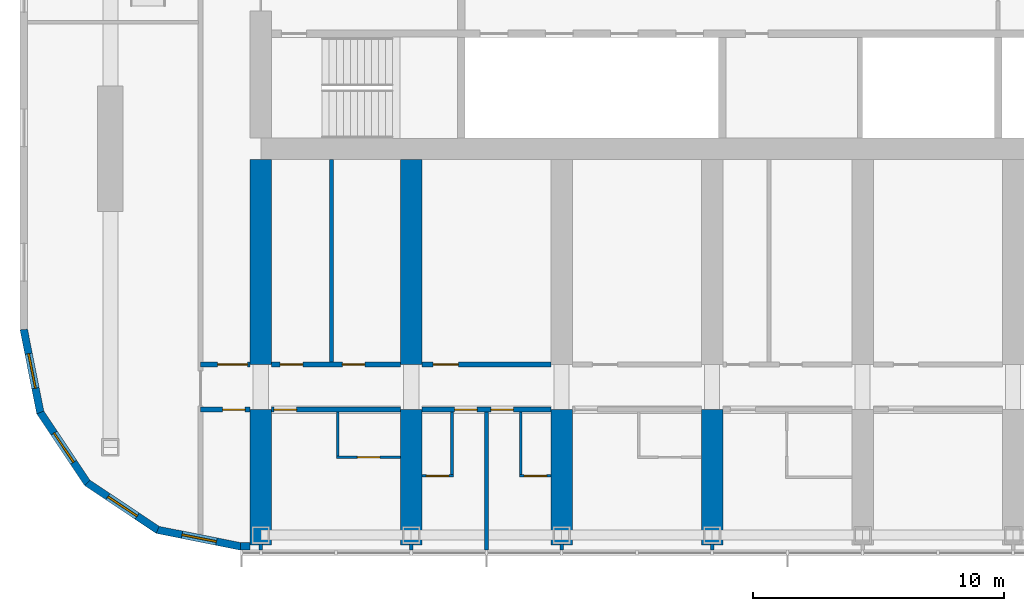
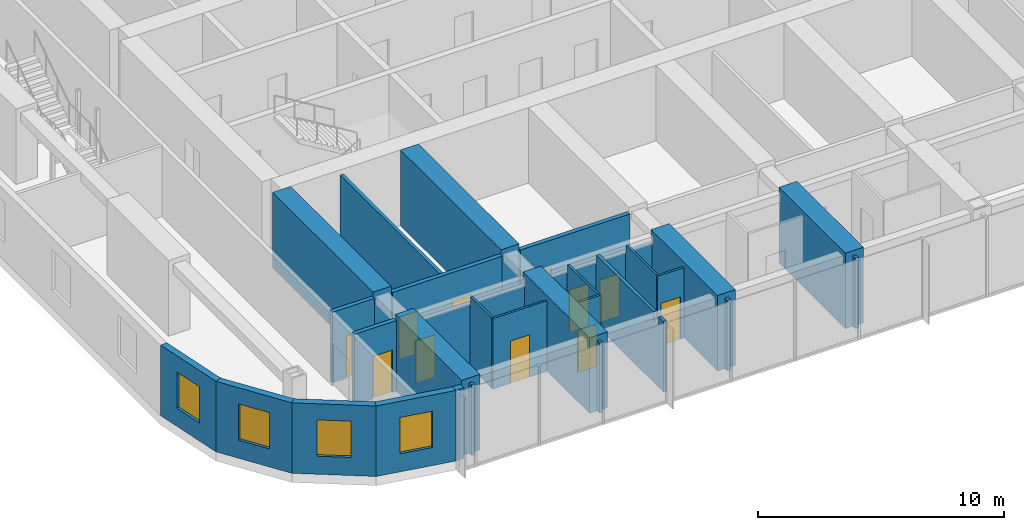
# One storey, part 13 of 28: 29 walls, 11 doors, 4 windows, 15 openings.
"""IFC4 building model written with IfcOpenShell, lengths in metres."""

from ifc_helpers import new_model, si_unit, direction, frame, frame_2d, origin, place, context, subcontext, project, spatial, polyline, rectangle, outline, extrude, material, layer, layer_set, type_object, element, fill, save


model = new_model("IFC4")

# Units and contexts
model_context = context("Model", 3, precision=1e-05, world=origin(), true_north=direction((0.0, 1.0)))
body_context = subcontext(model_context, "Body", "Model", "MODEL_VIEW")
ifc_project = project(units=[si_unit("LENGTHUNIT", "METRE"), si_unit("AREAUNIT", "SQUARE_METRE"), si_unit("VOLUMEUNIT", "CUBIC_METRE"), si_unit("PLANEANGLEUNIT", "RADIAN"), si_unit("MASSUNIT", "GRAM", prefix="KILO")], contexts=[model_context])

# Site, building, storey
site_placement = place(None, origin())
site = spatial("IfcSite", under=ifc_project, at=site_placement, CompositionType="ELEMENT")
building_placement = place(site_placement, origin())
building = spatial("IfcBuilding", under=site, at=building_placement, Name="Orbita Commons", CompositionType="ELEMENT")
storey_placement = place(building_placement, frame((0.0, 0.0, 193.60009765625)))
storey = spatial("IfcBuildingStorey", under=building, at=storey_placement, Name="L48", CompositionType="ELEMENT", Elevation=193.60009765625)

# Wall, opening, door
ifc_material_1 = material(Name="Concrete blockwork", Category="masonry")
ifc_layer_1 = layer(ifc_material_1, 0.199951171875)
ifc_layer_set_1 = layer_set([ifc_layer_1], Name="Concrete blockwork")
wall_type_1 = type_object("IfcWallType", Name="Corridor wall 200 blockwork", PredefinedType="SOLIDWALL", material=ifc_layer_set_1)
wall_1_placement = place(storey_placement, frame((15.60009765625, 15.39990234375, 0.0), z_axis=(0.0, 0.0, 1.0), x_axis=(1.0, 0.0, 0.0)))
wall_1 = element("IfcWall", 1, at=wall_1_placement, inside=storey, type_object=wall_type_1, Name="Corridor wall 200 blockwork L48", PredefinedType="SOLIDWALL", context=body_context, shape_type="SweptSolid", body=[
    extrude(rectangle(XDim=1.974853515625, YDim=0.199951171875, at=frame_2d((0.9873046875, 0.0))), origin(), (0.0, 0.0, 1.0), 3.5),
])
opening_1_placement = place(wall_1_placement, frame((0.875, 0.0, 0.0)))
opening_1 = element("IfcOpeningElement", 2, at=opening_1_placement, cuts=wall_1, Name="Opening D05", PredefinedType="OPENING", context=body_context, shape_type="SweptSolid", body=[
    extrude(rectangle(XDim=0.89990234375, YDim=2.10009765625, at=frame_2d((0.449951171875, 1.050048828125))), frame((0.0, 0.10986328125, 0.0), z_axis=(0.0, -1.0, 0.0), x_axis=(1.0, 0.0, 0.0)), (0.0, 0.0, 1.0), 0.219970703125),
])
ifc_material_2 = material(Name="Steel-faced fire door leaf", Category="steel")
door_type_1 = type_object("IfcDoorType", Name="Service door 20 min 900x2100", OperationType="SINGLE_SWING_LEFT", PredefinedType="DOOR", material=ifc_material_2)
door_1_placement = place(opening_1_placement, origin())
door_1 = element("IfcDoor", 3, at=door_1_placement, inside=storey, type_object=door_type_1, Name="Linen store L48-KWS door", OperationType="SINGLE_SWING_LEFT", OverallHeight=2.10009765625, OverallWidth=0.89990234375, PredefinedType="DOOR", context=body_context, shape_type="SweptSolid", body=[
    extrude(rectangle(XDim=0.89990234375, YDim=2.10009765625, at=frame_2d((0.449951171875, 1.050048828125))), frame((0.0, 0.02490234375, 0.0), z_axis=(0.0, -1.0, 0.0), x_axis=(1.0, 0.0, 0.0)), (0.0, 0.0, 1.0), 0.050048828125),
])
fill(opening_1, door_1)

wall_2_placement = place(storey_placement, frame((18.425048828125, 15.39990234375, 0.0), z_axis=(0.0, 0.0, 1.0), x_axis=(1.0, 0.0, 0.0)))
wall_2 = element("IfcWall", 4, at=wall_2_placement, inside=storey, type_object=wall_type_1, Name="Corridor wall 200 blockwork L48", PredefinedType="SOLIDWALL", context=body_context, shape_type="SweptSolid", body=[
    extrude(outline(polyline([(0.0, 0.0), (5.14990234375, 0.0), (5.14990234375, 3.099853515625), (0.0, 3.099853515625), (0.0, 0.0)])), frame((0.0, 0.10009765625, 0.0), z_axis=(0.0, -1.0, 0.0), x_axis=(1.0, 0.0, 0.0)), (0.0, 0.0, 1.0), 0.199951171875),
])
opening_2_placement = place(wall_2_placement, frame((0.10009765625, 0.0, 0.0)))
opening_2 = element("IfcOpeningElement", 5, at=opening_2_placement, cuts=wall_2, Name="Opening D11", PredefinedType="OPENING", context=body_context, shape_type="SweptSolid", body=[
    extrude(rectangle(XDim=0.89990234375, YDim=2.10009765625, at=frame_2d((0.449951171875, 1.050048828125))), frame((0.0, 0.10986328125, 0.0), z_axis=(0.0, -1.0, 0.0), x_axis=(1.0, 0.0, 0.0)), (0.0, 0.0, 1.0), 0.219970703125),
])
ifc_material_3 = material(Name="Steel-faced fire door leaf", Category="steel")
door_type_2 = type_object("IfcDoorType", Name="Corridor door 20 min 900x2100", OperationType="SINGLE_SWING_LEFT", PredefinedType="DOOR", material=ifc_material_3)
door_2_placement = place(opening_2_placement, origin())
door_2 = element("IfcDoor", 6, at=door_2_placement, inside=storey, type_object=door_type_2, Name="Twin room L48-S00 door", OperationType="SINGLE_SWING_LEFT", OverallHeight=2.10009765625, OverallWidth=0.89990234375, PredefinedType="DOOR", context=body_context, shape_type="SweptSolid", body=[
    extrude(rectangle(XDim=0.89990234375, YDim=2.10009765625, at=frame_2d((0.449951171875, 1.050048828125))), frame((0.0, 0.02490234375, 0.0), z_axis=(0.0, -1.0, 0.0), x_axis=(1.0, 0.0, 0.0)), (0.0, 0.0, 1.0), 0.050048828125),
])
fill(opening_2, door_2)

# Wall, openings, doors
wall_3_placement = place(storey_placement, frame((24.425048828125, 15.39990234375, 0.0), z_axis=(0.0, 0.0, 1.0), x_axis=(1.0, 0.0, 0.0)))
wall_3 = element("IfcWall", 7, at=wall_3_placement, inside=storey, type_object=wall_type_1, Name="Corridor wall 200 blockwork L48", PredefinedType="SOLIDWALL", context=body_context, shape_type="SweptSolid", body=[
    extrude(outline(polyline([(0.0, 0.0), (5.14990234375, 0.0), (5.14990234375, 3.099853515625), (0.0, 3.099853515625), (0.0, 0.0)])), frame((0.0, 0.10009765625, 0.0), z_axis=(0.0, -1.0, 0.0), x_axis=(1.0, 0.0, 0.0)), (0.0, 0.0, 1.0), 0.199951171875),
])
opening_3_placement = place(wall_3_placement, frame((1.300048828125, 0.0, 0.0)))
opening_3 = element("IfcOpeningElement", 8, at=opening_3_placement, cuts=wall_3, Name="Opening D11", PredefinedType="OPENING", context=body_context, shape_type="SweptSolid", body=[
    extrude(rectangle(XDim=0.89990234375, YDim=2.10009765625, at=frame_2d((0.449951171875, 1.050048828125))), frame((0.0, 0.10986328125, 0.0), z_axis=(0.0, -1.0, 0.0), x_axis=(1.0, 0.0, 0.0)), (0.0, 0.0, 1.0), 0.219970703125),
])
opening_4_placement = place(wall_3_placement, frame((2.75, 0.0, 0.0)))
opening_4 = element("IfcOpeningElement", 9, at=opening_4_placement, cuts=wall_3, Name="Opening D11", PredefinedType="OPENING", context=body_context, shape_type="SweptSolid", body=[
    extrude(rectangle(XDim=0.89990234375, YDim=2.10009765625, at=frame_2d((0.449951171875, 1.050048828125))), frame((0.0, 0.10986328125, 0.0), z_axis=(0.0, -1.0, 0.0), x_axis=(1.0, 0.0, 0.0)), (0.0, 0.0, 1.0), 0.219970703125),
])
door_3_placement = place(opening_3_placement, origin())
door_3 = element("IfcDoor", 10, at=door_3_placement, inside=storey, type_object=door_type_2, Name="Cluster bedroom L48-S02 door", OperationType="SINGLE_SWING_LEFT", OverallHeight=2.10009765625, OverallWidth=0.89990234375, PredefinedType="DOOR", context=body_context, shape_type="SweptSolid", body=[
    extrude(rectangle(XDim=0.89990234375, YDim=2.10009765625, at=frame_2d((0.449951171875, 1.050048828125))), frame((0.0, 0.02490234375, 0.0), z_axis=(0.0, -1.0, 0.0), x_axis=(1.0, 0.0, 0.0)), (0.0, 0.0, 1.0), 0.050048828125),
])
fill(opening_3, door_3)
door_4_placement = place(opening_4_placement, origin())
door_4 = element("IfcDoor", 11, at=door_4_placement, inside=storey, type_object=door_type_2, Name="Cluster bedroom L48-S03 door", OperationType="SINGLE_SWING_LEFT", OverallHeight=2.10009765625, OverallWidth=0.89990234375, PredefinedType="DOOR", context=body_context, shape_type="SweptSolid", body=[
    extrude(rectangle(XDim=0.89990234375, YDim=2.10009765625, at=frame_2d((0.449951171875, 1.050048828125))), frame((0.0, 0.02490234375, 0.0), z_axis=(0.0, -1.0, 0.0), x_axis=(1.0, 0.0, 0.0)), (0.0, 0.0, 1.0), 0.050048828125),
])
fill(opening_4, door_4)

# Wall, opening, door
ifc_material_4 = material(Name="Hollow concrete block 200", Category="concrete")
ifc_layer_2 = layer(ifc_material_4, 0.199951171875)
ifc_layer_set_2 = layer_set([ifc_layer_2], Name="Hollow concrete block 200")
wall_type_2 = type_object("IfcWallType", Name="Corridor wall 200 hollow concrete block", PredefinedType="SOLIDWALL", material=ifc_layer_set_2)
wall_4_placement = place(storey_placement, frame((15.60009765625, 17.199951171875, 0.0), z_axis=(0.0, 0.0, 1.0), x_axis=(1.0, 0.0, 0.0)))
wall_4 = element("IfcWall", 12, at=wall_4_placement, inside=storey, type_object=wall_type_2, Name="Corridor wall 200 hollow concrete block L48", PredefinedType="SOLIDWALL", context=body_context, shape_type="SweptSolid", body=[
    extrude(rectangle(XDim=1.974853515625, YDim=0.199951171875, at=frame_2d((0.9873046875, 0.0))), origin(), (0.0, 0.0, 1.0), 3.5),
])
opening_5_placement = place(wall_4_placement, frame((0.675048828125, 0.0, 0.0)))
opening_5 = element("IfcOpeningElement", 13, at=opening_5_placement, cuts=wall_4, Name="Opening D12", PredefinedType="OPENING", context=body_context, shape_type="SweptSolid", body=[
    extrude(rectangle(XDim=1.199951171875, YDim=2.10009765625, at=frame_2d((0.60009765625, 1.050048828125))), frame((0.0, 0.10986328125, 0.0), z_axis=(0.0, -1.0, 0.0), x_axis=(1.0, 0.0, 0.0)), (0.0, 0.0, 1.0), 0.219970703125),
])
ifc_material_5 = material(Name="Steel-faced fire door leaf", Category="steel")
door_type_3 = type_object("IfcDoorType", Name="Double corridor door 20 min 1200x2100", OperationType="DOUBLE_DOOR_SINGLE_SWING", PredefinedType="DOOR", material=ifc_material_5)
door_5_placement = place(opening_5_placement, origin())
door_5 = element("IfcDoor", 14, at=door_5_placement, inside=storey, type_object=door_type_3, Name="Cross corridor doors", OperationType="DOUBLE_DOOR_SINGLE_SWING", OverallHeight=2.10009765625, OverallWidth=1.199951171875, PredefinedType="DOOR", context=body_context, shape_type="SweptSolid", body=[
    extrude(rectangle(XDim=1.199951171875, YDim=2.10009765625, at=frame_2d((0.60009765625, 1.050048828125))), frame((0.0, 0.02490234375, 0.0), z_axis=(0.0, -1.0, 0.0), x_axis=(1.0, 0.0, 0.0)), (0.0, 0.0, 1.0), 0.050048828125),
])
fill(opening_5, door_5)

# Wall, openings, doors
wall_5_placement = place(storey_placement, frame((18.425048828125, 17.199951171875, 0.0), z_axis=(0.0, 0.0, 1.0), x_axis=(1.0, 0.0, 0.0)))
wall_5 = element("IfcWall", 15, at=wall_5_placement, inside=storey, type_object=wall_type_2, Name="Corridor wall 200 hollow concrete block L48", PredefinedType="SOLIDWALL", context=body_context, shape_type="SweptSolid", body=[
    extrude(rectangle(XDim=5.14990234375, YDim=0.199951171875, at=frame_2d((2.574951171875, 0.0))), origin(), (0.0, 0.0, 1.0), 3.5),
])
opening_6_placement = place(wall_5_placement, frame((0.35009765625, 0.0, 0.0)))
opening_6 = element("IfcOpeningElement", 16, at=opening_6_placement, cuts=wall_5, Name="Opening D11", PredefinedType="OPENING", context=body_context, shape_type="SweptSolid", body=[
    extrude(rectangle(XDim=0.89990234375, YDim=2.10009765625, at=frame_2d((0.449951171875, 1.050048828125))), frame((0.0, 0.10986328125, 0.0), z_axis=(0.0, -1.0, 0.0), x_axis=(1.0, 0.0, 0.0)), (0.0, 0.0, 1.0), 0.219970703125),
])
opening_7_placement = place(wall_5_placement, frame((2.824951171875, 0.0, 0.0)))
opening_7 = element("IfcOpeningElement", 17, at=opening_7_placement, cuts=wall_5, Name="Opening D11", PredefinedType="OPENING", context=body_context, shape_type="SweptSolid", body=[
    extrude(rectangle(XDim=0.89990234375, YDim=2.10009765625, at=frame_2d((0.449951171875, 1.050048828125))), frame((0.0, 0.10986328125, 0.0), z_axis=(0.0, -1.0, 0.0), x_axis=(1.0, 0.0, 0.0)), (0.0, 0.0, 1.0), 0.219970703125),
])
door_6_placement = place(opening_6_placement, origin())
door_6 = element("IfcDoor", 18, at=door_6_placement, inside=storey, type_object=door_type_2, Name="Accessible WC and shower room L48-BDS18n door", OperationType="SINGLE_SWING_LEFT", OverallHeight=2.10009765625, OverallWidth=0.89990234375, PredefinedType="DOOR", context=body_context, shape_type="SweptSolid", body=[
    extrude(rectangle(XDim=0.89990234375, YDim=2.10009765625, at=frame_2d((0.449951171875, 1.050048828125))), frame((0.0, 0.02490234375, 0.0), z_axis=(0.0, -1.0, 0.0), x_axis=(1.0, 0.0, 0.0)), (0.0, 0.0, 1.0), 0.050048828125),
])
fill(opening_6, door_6)
door_7_placement = place(opening_7_placement, origin())
door_7 = element("IfcDoor", 19, at=door_7_placement, inside=storey, type_object=door_type_2, Name="Media room L48-BDS18 door", OperationType="SINGLE_SWING_LEFT", OverallHeight=2.10009765625, OverallWidth=0.89990234375, PredefinedType="DOOR", context=body_context, shape_type="SweptSolid", body=[
    extrude(rectangle(XDim=0.89990234375, YDim=2.10009765625, at=frame_2d((0.449951171875, 1.050048828125))), frame((0.0, 0.02490234375, 0.0), z_axis=(0.0, -1.0, 0.0), x_axis=(1.0, 0.0, 0.0)), (0.0, 0.0, 1.0), 0.050048828125),
])
fill(opening_7, door_7)

# Wall, opening, door
wall_6_placement = place(storey_placement, frame((24.425048828125, 17.199951171875, 0.0), z_axis=(0.0, 0.0, 1.0), x_axis=(1.0, 0.0, 0.0)))
wall_6 = element("IfcWall", 20, at=wall_6_placement, inside=storey, type_object=wall_type_2, Name="Corridor wall 200 hollow concrete block L48", PredefinedType="SOLIDWALL", context=body_context, shape_type="SweptSolid", body=[
    extrude(rectangle(XDim=5.14990234375, YDim=0.199951171875, at=frame_2d((2.574951171875, 0.0))), origin(), (0.0, 0.0, 1.0), 3.5),
])
opening_8_placement = place(wall_6_placement, frame((0.449951171875, 0.0, 0.0)))
opening_8 = element("IfcOpeningElement", 21, at=opening_8_placement, cuts=wall_6, Name="Opening D06", PredefinedType="OPENING", context=body_context, shape_type="SweptSolid", body=[
    extrude(rectangle(XDim=1.0, YDim=2.10009765625, at=frame_2d((0.5, 1.050048828125))), frame((0.0, 0.10986328125, 0.0), z_axis=(0.0, -1.0, 0.0), x_axis=(1.0, 0.0, 0.0)), (0.0, 0.0, 1.0), 0.219970703125),
])
ifc_material_6 = material(Name="Steel-faced fire door leaf", Category="steel")
door_type_4 = type_object("IfcDoorType", Name="Corridor door 20 min 1000x2100", OperationType="SINGLE_SWING_LEFT", PredefinedType="DOOR", material=ifc_material_6)
door_8_placement = place(opening_8_placement, origin())
door_8 = element("IfcDoor", 22, at=door_8_placement, inside=storey, type_object=door_type_4, Name="IT and print room L48-BDS24 door", OperationType="SINGLE_SWING_LEFT", OverallHeight=2.10009765625, OverallWidth=1.0, PredefinedType="DOOR", context=body_context, shape_type="SweptSolid", body=[
    extrude(rectangle(XDim=1.0, YDim=2.10009765625, at=frame_2d((0.5, 1.050048828125))), frame((0.0, 0.02490234375, 0.0), z_axis=(0.0, -1.0, 0.0), x_axis=(1.0, 0.0, 0.0)), (0.0, 0.0, 1.0), 0.050048828125),
])
fill(opening_8, door_8)

# Walls
ifc_material_7 = material(Name="Concrete C50/60", Category="concrete")
ifc_layer_3 = layer(ifc_material_7, 0.85009765625)
ifc_layer_set_3 = layer_set([ifc_layer_3], Name="Concrete C50/60")
wall_type_3 = type_object("IfcWallType", Name="Cross wall 850 C50/60", PredefinedType="SHEAR", material=ifc_layer_set_3)
wall_7_placement = place(storey_placement, frame((18.0, 10.0, 0.0), z_axis=(0.0, 0.0, 1.0), x_axis=(0.0, 1.0, 0.0)))
element("IfcWall", 23, at=wall_7_placement, inside=storey, type_object=wall_type_3, Name="Cross wall 4 south outer L48", PredefinedType="SHEAR", context=body_context, shape_type="SweptSolid", body=[
    extrude(rectangle(XDim=5.39990234375, YDim=0.85009765625, at=frame_2d((2.699951171875, 0.0))), origin(), (0.0, 0.0, 1.0), 3.75),
])
wall_8_placement = place(storey_placement, frame((18.0, 17.199951171875, 0.0), z_axis=(0.0, 0.0, 1.0), x_axis=(0.0, 1.0, 0.0)))
element("IfcWall", 24, at=wall_8_placement, inside=storey, type_object=wall_type_3, Name="Cross wall 4 south inner L48", PredefinedType="SHEAR", context=body_context, shape_type="SweptSolid", body=[
    extrude(rectangle(XDim=8.175048828125, YDim=0.85009765625, at=frame_2d((4.08740234375, 0.0))), origin(), (0.0, 0.0, 1.0), 3.75),
])
wall_9_placement = place(storey_placement, frame((24.0, 10.0, 0.0), z_axis=(0.0, 0.0, 1.0), x_axis=(0.0, 1.0, 0.0)))
element("IfcWall", 25, at=wall_9_placement, inside=storey, type_object=wall_type_3, Name="Cross wall 5 south outer L48", PredefinedType="SHEAR", context=body_context, shape_type="SweptSolid", body=[
    extrude(rectangle(XDim=5.39990234375, YDim=0.85009765625, at=frame_2d((2.699951171875, 0.0))), origin(), (0.0, 0.0, 1.0), 3.75),
])
wall_10_placement = place(storey_placement, frame((24.0, 17.199951171875, 0.0), z_axis=(0.0, 0.0, 1.0), x_axis=(0.0, 1.0, 0.0)))
element("IfcWall", 26, at=wall_10_placement, inside=storey, type_object=wall_type_3, Name="Cross wall 5 south inner L48", PredefinedType="SHEAR", context=body_context, shape_type="SweptSolid", body=[
    extrude(rectangle(XDim=8.175048828125, YDim=0.85009765625, at=frame_2d((4.08740234375, 0.0))), origin(), (0.0, 0.0, 1.0), 3.75),
])
for number, where, z_axis, x_axis, name in (
    (27, (30.0, 10.0, 0.0), (0.0, 0.0, 1.0), (0.0, 1.0, 0.0), "Cross wall 6 south outer L48"),
    (28, (36.0, 10.0, 0.0), (0.0, 0.0, 1.0), (0.0, 1.0, 0.0), "Cross wall 7 south outer L48"),
):
    element("IfcWall", number, at=place(storey_placement, frame(where, z_axis=z_axis, x_axis=x_axis)), inside=storey, type_object=wall_type_3, Name=name, PredefinedType="SHEAR", context=body_context, shape_type="SweptSolid", body=[
        extrude(rectangle(XDim=5.39990234375, YDim=0.85009765625, at=frame_2d((2.699951171875, 0.0))), origin(), (0.0, 0.0, 1.0), 3.75),
    ])

# Wall, opening, door
ifc_material_8 = material(Name="Moisture-resistant plasterboard on steel studs", Category="steel")
ifc_layer_4 = layer(ifc_material_8, 0.10009765625)
ifc_layer_set_4 = layer_set([ifc_layer_4], Name="Moisture-resistant plasterboard on steel studs")
wall_type_4 = type_object("IfcWallType", Name="En-suite partition 100", PredefinedType="PARTITIONING", material=ifc_layer_set_4)
wall_11_placement = place(storey_placement, frame((23.574951171875, 13.5, 0.0), z_axis=(0.0, 0.0, 1.0), x_axis=(-1.0, 0.0, 0.0)))
wall_11 = element("IfcWall", 29, at=wall_11_placement, inside=storey, type_object=wall_type_4, Name="En-suite partition 100 L48", PredefinedType="PARTITIONING", context=body_context, shape_type="SweptSolid", body=[
    extrude(rectangle(XDim=2.550048828125, YDim=0.10009765625, at=frame_2d((1.27490234375, 0.0))), origin(), (0.0, 0.0, 1.0), 3.5),
])
opening_9_placement = place(wall_11_placement, frame((0.824951171875, 0.0, 0.0)))
opening_9 = element("IfcOpeningElement", 30, at=opening_9_placement, cuts=wall_11, Name="Opening D09", PredefinedType="OPENING", context=body_context, shape_type="SweptSolid", body=[
    extrude(rectangle(XDim=0.89990234375, YDim=2.10009765625, at=frame_2d((0.449951171875, 1.050048828125))), frame((0.0, 0.06005859375, 0.0), z_axis=(0.0, -1.0, 0.0), x_axis=(1.0, 0.0, 0.0)), (0.0, 0.0, 1.0), 0.1201171875),
])
ifc_material_9 = material(Name="Laminated timber door leaf", Category="wood")
door_type_5 = type_object("IfcDoorType", Name="En-suite door 900x2100", OperationType="SINGLE_SWING_RIGHT", PredefinedType="DOOR", material=ifc_material_9)
door_9_placement = place(opening_9_placement, origin())
door_9 = element("IfcDoor", 31, at=door_9_placement, inside=storey, type_object=door_type_5, Name="En-suite L48-S00 door", OperationType="SINGLE_SWING_RIGHT", OverallHeight=2.10009765625, OverallWidth=0.89990234375, PredefinedType="DOOR", context=body_context, shape_type="SweptSolid", body=[
    extrude(rectangle(XDim=0.89990234375, YDim=2.10009765625, at=frame_2d((0.449951171875, 1.050048828125))), frame((0.0, 0.02490234375, 0.0), z_axis=(0.0, -1.0, 0.0), x_axis=(1.0, 0.0, 0.0)), (0.0, 0.0, 1.0), 0.050048828125),
])
fill(opening_9, door_9)

# Wall
wall_12_placement = place(storey_placement, frame((21.074951171875, 13.550048828125, 0.0), z_axis=(0.0, 0.0, 1.0), x_axis=(0.0, 1.0, 0.0)))
element("IfcWall", 32, at=wall_12_placement, inside=storey, type_object=wall_type_4, Name="En-suite partition 100 L48", PredefinedType="PARTITIONING", context=body_context, shape_type="SweptSolid", body=[
    extrude(outline(polyline([(0.0, 0.0), (1.75, 0.0), (1.75, 3.099853515625), (1.701904296875, 3.099853515625), (1.699951171875, 3.5), (0.0, 3.5), (0.0, 0.0)])), frame((0.0, 0.050048828125, 0.0), z_axis=(0.0, -1.0, 0.0), x_axis=(1.0, 0.0, 0.0)), (0.0, 0.0, 1.0), 0.10009765625),
])

# Wall, opening, door
wall_13_placement = place(storey_placement, frame((25.675048828125, 12.75830078125, 0.0), z_axis=(0.0, 0.0, 1.0), x_axis=(-1.0, 0.0, 0.0)))
wall_13 = element("IfcWall", 33, at=wall_13_placement, inside=storey, type_object=wall_type_4, Name="En-suite partition 100 L48", PredefinedType="PARTITIONING", context=body_context, shape_type="SweptSolid", body=[
    extrude(rectangle(XDim=1.25, YDim=0.10009765625, at=frame_2d((0.625, 0.0))), origin(), (0.0, 0.0, 1.0), 3.5),
])
opening_10_placement = place(wall_13_placement, frame((0.175048828125, 0.0, 0.0)))
opening_10 = element("IfcOpeningElement", 34, at=opening_10_placement, cuts=wall_13, Name="Opening D09", PredefinedType="OPENING", context=body_context, shape_type="SweptSolid", body=[
    extrude(rectangle(XDim=0.89990234375, YDim=2.10009765625, at=frame_2d((0.449951171875, 1.050048828125))), frame((0.0, 0.06005859375, 0.0), z_axis=(0.0, -1.0, 0.0), x_axis=(1.0, 0.0, 0.0)), (0.0, 0.0, 1.0), 0.1201171875),
])
door_10_placement = place(opening_10_placement, origin())
door_10 = element("IfcDoor", 35, at=door_10_placement, inside=storey, type_object=door_type_5, Name="En-suite L48-S02 door", OperationType="SINGLE_SWING_RIGHT", OverallHeight=2.10009765625, OverallWidth=0.89990234375, PredefinedType="DOOR", context=body_context, shape_type="SweptSolid", body=[
    extrude(rectangle(XDim=0.89990234375, YDim=2.10009765625, at=frame_2d((0.449951171875, 1.050048828125))), frame((0.0, 0.02490234375, 0.0), z_axis=(0.0, -1.0, 0.0), x_axis=(1.0, 0.0, 0.0)), (0.0, 0.0, 1.0), 0.050048828125),
])
fill(opening_10, door_10)

# Wall
wall_14_placement = place(storey_placement, frame((25.625, 12.808349609375, 0.0), z_axis=(0.0, 0.0, 1.0), x_axis=(0.0, 1.0, 0.0)))
element("IfcWall", 36, at=wall_14_placement, inside=storey, type_object=wall_type_4, Name="En-suite partition 100 L48", PredefinedType="PARTITIONING", context=body_context, shape_type="SweptSolid", body=[
    extrude(outline(polyline([(0.0, 0.0), (2.49169921875, 0.0), (2.49169921875, 3.099853515625), (2.443603515625, 3.099853515625), (2.441650390625, 3.5), (0.0, 3.5), (0.0, 0.0)])), frame((0.0, 0.050048828125, 0.0), z_axis=(0.0, -1.0, 0.0), x_axis=(1.0, 0.0, 0.0)), (0.0, 0.0, 1.0), 0.10009765625),
])

# Wall, opening, door
wall_15_placement = place(storey_placement, frame((29.574951171875, 12.75830078125, 0.0), z_axis=(0.0, 0.0, 1.0), x_axis=(-1.0, 0.0, 0.0)))
wall_15 = element("IfcWall", 37, at=wall_15_placement, inside=storey, type_object=wall_type_4, Name="En-suite partition 100 L48", PredefinedType="PARTITIONING", context=body_context, shape_type="SweptSolid", body=[
    extrude(rectangle(XDim=1.25, YDim=0.10009765625, at=frame_2d((0.625, 0.0))), origin(), (0.0, 0.0, 1.0), 3.5),
])
opening_11_placement = place(wall_15_placement, frame((0.175048828125, 0.0, 0.0)))
opening_11 = element("IfcOpeningElement", 38, at=opening_11_placement, cuts=wall_15, Name="Opening D09", PredefinedType="OPENING", context=body_context, shape_type="SweptSolid", body=[
    extrude(rectangle(XDim=0.89990234375, YDim=2.10009765625, at=frame_2d((0.449951171875, 1.050048828125))), frame((0.0, 0.06005859375, 0.0), z_axis=(0.0, -1.0, 0.0), x_axis=(1.0, 0.0, 0.0)), (0.0, 0.0, 1.0), 0.1201171875),
])
door_11_placement = place(opening_11_placement, origin())
door_11 = element("IfcDoor", 39, at=door_11_placement, inside=storey, type_object=door_type_5, Name="En-suite L48-S03 door", OperationType="SINGLE_SWING_RIGHT", OverallHeight=2.10009765625, OverallWidth=0.89990234375, PredefinedType="DOOR", context=body_context, shape_type="SweptSolid", body=[
    extrude(rectangle(XDim=0.89990234375, YDim=2.10009765625, at=frame_2d((0.449951171875, 1.050048828125))), frame((0.0, 0.02490234375, 0.0), z_axis=(0.0, -1.0, 0.0), x_axis=(1.0, 0.0, 0.0)), (0.0, 0.0, 1.0), 0.050048828125),
])
fill(opening_11, door_11)

# Walls
wall_16_placement = place(storey_placement, frame((28.375, 12.808349609375, 0.0), z_axis=(0.0, 0.0, 1.0), x_axis=(0.0, 1.0, 0.0)))
element("IfcWall", 40, at=wall_16_placement, inside=storey, type_object=wall_type_4, Name="En-suite partition 100 L48", PredefinedType="PARTITIONING", context=body_context, shape_type="SweptSolid", body=[
    extrude(outline(polyline([(0.0, 0.0), (2.49169921875, 0.0), (2.49169921875, 3.099853515625), (2.443603515625, 3.099853515625), (2.441650390625, 3.5), (0.0, 3.5), (0.0, 0.0)])), frame((0.0, 0.050048828125, 0.0), z_axis=(0.0, -1.0, 0.0), x_axis=(1.0, 0.0, 0.0)), (0.0, 0.0, 1.0), 0.10009765625),
])
ifc_material_10 = material(Name="Gypsum plasterboard on steel studs", Category="steel")
ifc_layer_5 = layer(ifc_material_10, 0.14990234375)
ifc_layer_set_5 = layer_set([ifc_layer_5], Name="Gypsum plasterboard on steel studs")
wall_type_5 = type_object("IfcWallType", Name="Partition 150 plasterboard", PredefinedType="PARTITIONING", material=ifc_layer_set_5)
wall_17_placement = place(storey_placement, frame((20.824951171875, 17.300048828125, 0.0), z_axis=(0.0, 0.0, 1.0), x_axis=(0.0, 1.0, 0.0)))
element("IfcWall", 41, at=wall_17_placement, inside=storey, type_object=wall_type_5, Name="Partition 150 plasterboard L48", PredefinedType="PARTITIONING", context=body_context, shape_type="SweptSolid", body=[
    extrude(rectangle(XDim=8.074951171875, YDim=0.14990234375, at=frame_2d((4.03759765625, 0.0))), origin(), (0.0, 0.0, 1.0), 3.5),
])
for number, where, z_axis, x_axis, name in (
    (42, (18.0, 10.050048828125, 0.0), (0.0, 0.0, 1.0), (0.0, -1.0, 0.0), "Partition 150 plasterboard L48"),
    (43, (24.0, 10.050048828125, 0.0), (0.0, 0.0, 1.0), (0.0, -1.0, 0.0), "Partition 150 plasterboard L48"),
    (44, (30.0, 10.050048828125, 0.0), (0.0, 0.0, 1.0), (0.0, -1.0, 0.0), "Partition 150 plasterboard L48"),
    (45, (36.0, 10.050048828125, 0.0), (0.0, 0.0, 1.0), (0.0, -1.0, 0.0), "Partition 150 plasterboard L48"),
):
    element("IfcWall", number, at=place(storey_placement, frame(where, z_axis=z_axis, x_axis=x_axis)), inside=storey, type_object=wall_type_5, Name=name, PredefinedType="PARTITIONING", context=body_context, shape_type="SweptSolid", body=[
        extrude(rectangle(XDim=0.239990234375, YDim=0.14990234375, at=frame_2d((0.1201171875, 0.0))), origin(), (0.0, 0.0, 1.0), 3.5),
    ])
ifc_material_11 = material(Name="Gypsum plasterboard on steel studs", Category="steel")
ifc_layer_6 = layer(ifc_material_11, 0.14990234375)
ifc_layer_set_6 = layer_set([ifc_layer_6], Name="Gypsum plasterboard on steel studs")
wall_type_6 = type_object("IfcWallType", Name="Party wall 150 plasterboard", PredefinedType="PARTITIONING", material=ifc_layer_set_6)
wall_18_placement = place(storey_placement, frame((27.0, 9.81005859375, 0.0), z_axis=(0.0, 0.0, 1.0), x_axis=(0.0, 1.0, 0.0)))
element("IfcWall", 46, at=wall_18_placement, inside=storey, type_object=wall_type_6, Name="Party wall 150 plasterboard L48", PredefinedType="PARTITIONING", context=body_context, shape_type="SweptSolid", body=[
    extrude(outline(polyline([(0.0, 0.0), (5.489990234375, 0.0), (5.489990234375, 3.099853515625), (5.44189453125, 3.099853515625), (5.43994140625, 3.5), (0.7919921875, 3.5), (0.7900390625, 3.099853515625), (0.39208984375, 3.099853515625), (0.389892578125, 3.5), (0.0, 3.5), (0.0, 0.0)])), frame((0.0, 0.074951171875, 0.0), z_axis=(0.0, -1.0, 0.0), x_axis=(1.0, 0.0, 0.0)), (0.0, 0.0, 1.0), 0.14990234375),
])

# Wall, opening, window
ifc_material_12 = material(Name="Precast concrete C40/50, white board-marked finish", Category="concrete")
ifc_layer_7 = layer(ifc_material_12, 0.300048828125)
ifc_layer_set_7 = layer_set([ifc_layer_7], Name="Precast concrete C40/50, white board-marked finish")
wall_type_7 = type_object("IfcWallType", Name="Precast concrete end shield 300", PredefinedType="SOLIDWALL", material=ifc_layer_set_7)
wall_19_placement = place(storey_placement, frame((8.550048828125, 18.60009765625, 0.0), z_axis=(0.0, 0.0, 1.0), x_axis=(0.19508664885, -0.980786011034, 0.0)))
wall_19 = element("IfcWall", 47, at=wall_19_placement, inside=storey, type_object=wall_type_7, Name="End shield SW chord 1 L48", PredefinedType="SOLIDWALL", context=body_context, shape_type="SweptSolid", body=[
    extrude(outline(polyline([(-0.014892578125, -0.14990234375), (3.405029296875, -0.14990234375), (3.345458984375, 0.14990234375), (0.014892578125, 0.14990234375), (-0.014892578125, -0.14990234375)])), origin(), (0.0, 0.0, 1.0), 3.5),
])
opening_12_placement = place(wall_19_placement, frame((0.987548828125, 0.0, 0.89990234375)))
opening_12 = element("IfcOpeningElement", 48, at=opening_12_placement, cuts=wall_19, Name="Opening W02", PredefinedType="OPENING", context=body_context, shape_type="SweptSolid", body=[
    extrude(rectangle(XDim=1.39990234375, YDim=1.800048828125, at=frame_2d((0.699951171875, 0.89990234375))), frame((0.0, 0.159912109375, 0.0), z_axis=(0.0, -1.0, 0.0), x_axis=(1.0, 0.0, 0.0)), (0.0, 0.0, 1.0), 0.320068359375),
])
ifc_material_13 = material(Name="Aluminium frame, clear double glazing", Category="aluminium")
window_type = type_object("IfcWindowType", Name="Deep-set window 1400x1800", PartitioningType="SINGLE_PANEL", PredefinedType="WINDOW", material=ifc_material_13)
window_1_placement = place(opening_12_placement, origin())
window_1 = element("IfcWindow", 49, at=window_1_placement, inside=storey, type_object=window_type, Name="Window L48-SW0", OverallHeight=1.800048828125, OverallWidth=1.39990234375, PartitioningType="SINGLE_PANEL", PredefinedType="WINDOW", context=body_context, shape_type="SweptSolid", body=[
    extrude(rectangle(XDim=1.39990234375, YDim=1.800048828125, at=frame_2d((0.699951171875, 0.89990234375))), frame((0.0, 0.030029296875, 0.0), z_axis=(0.0, -1.0, 0.0), x_axis=(1.0, 0.0, 0.0)), (0.0, 0.0, 1.0), 0.06005859375),
])
fill(opening_12, window_1)

wall_20_placement = place(storey_placement, frame((9.20849609375, 15.289794921875, 0.0), z_axis=(0.0, 0.0, 1.0), x_axis=(0.555534554399, -0.831493450887, 0.0)))
wall_20 = element("IfcWall", 50, at=wall_20_placement, inside=storey, type_object=wall_type_7, Name="End shield SW chord 2 L48", PredefinedType="SOLIDWALL", context=body_context, shape_type="SweptSolid", body=[
    extrude(outline(polyline([(-0.02978515625, -0.14990234375), (3.405029296875, -0.14990234375), (3.345458984375, 0.14990234375), (0.02978515625, 0.14990234375), (-0.02978515625, -0.14990234375)])), origin(), (0.0, 0.0, 1.0), 3.5),
])
opening_13_placement = place(wall_20_placement, frame((0.987548828125, 0.0, 0.89990234375)))
opening_13 = element("IfcOpeningElement", 51, at=opening_13_placement, cuts=wall_20, Name="Opening W02", PredefinedType="OPENING", context=body_context, shape_type="SweptSolid", body=[
    extrude(rectangle(XDim=1.39990234375, YDim=1.800048828125, at=frame_2d((0.699951171875, 0.89990234375))), frame((0.0, 0.159912109375, 0.0), z_axis=(0.0, -1.0, 0.0), x_axis=(1.0, 0.0, 0.0)), (0.0, 0.0, 1.0), 0.320068359375),
])
window_2_placement = place(opening_13_placement, origin())
window_2 = element("IfcWindow", 52, at=window_2_placement, inside=storey, type_object=window_type, Name="Window L48-SW1", OverallHeight=1.800048828125, OverallWidth=1.39990234375, PartitioningType="SINGLE_PANEL", PredefinedType="WINDOW", context=body_context, shape_type="SweptSolid", body=[
    extrude(rectangle(XDim=1.39990234375, YDim=1.800048828125, at=frame_2d((0.699951171875, 0.89990234375))), frame((0.0, 0.030029296875, 0.0), z_axis=(0.0, -1.0, 0.0), x_axis=(1.0, 0.0, 0.0)), (0.0, 0.0, 1.0), 0.06005859375),
])
fill(opening_13, window_2)

wall_21_placement = place(storey_placement, frame((11.08349609375, 12.4833984375, 0.0), z_axis=(0.0, 0.0, 1.0), x_axis=(0.831493450887, -0.555534554399, 0.0)))
wall_21 = element("IfcWall", 53, at=wall_21_placement, inside=storey, type_object=wall_type_7, Name="End shield SW chord 3 L48", PredefinedType="SOLIDWALL", context=body_context, shape_type="SweptSolid", body=[
    extrude(outline(polyline([(-0.02978515625, -0.14990234375), (3.405029296875, -0.14990234375), (3.345458984375, 0.14990234375), (0.02978515625, 0.14990234375), (-0.02978515625, -0.14990234375)])), origin(), (0.0, 0.0, 1.0), 3.5),
])
opening_14_placement = place(wall_21_placement, frame((0.987548828125, 0.0, 0.89990234375)))
opening_14 = element("IfcOpeningElement", 54, at=opening_14_placement, cuts=wall_21, Name="Opening W02", PredefinedType="OPENING", context=body_context, shape_type="SweptSolid", body=[
    extrude(rectangle(XDim=1.39990234375, YDim=1.800048828125, at=frame_2d((0.699951171875, 0.89990234375))), frame((0.0, 0.159912109375, 0.0), z_axis=(0.0, -1.0, 0.0), x_axis=(1.0, 0.0, 0.0)), (0.0, 0.0, 1.0), 0.320068359375),
])
window_3_placement = place(opening_14_placement, origin())
window_3 = element("IfcWindow", 55, at=window_3_placement, inside=storey, type_object=window_type, Name="Window L48-SW2", OverallHeight=1.800048828125, OverallWidth=1.39990234375, PartitioningType="SINGLE_PANEL", PredefinedType="WINDOW", context=body_context, shape_type="SweptSolid", body=[
    extrude(rectangle(XDim=1.39990234375, YDim=1.800048828125, at=frame_2d((0.699951171875, 0.89990234375))), frame((0.0, 0.030029296875, 0.0), z_axis=(0.0, -1.0, 0.0), x_axis=(1.0, 0.0, 0.0)), (0.0, 0.0, 1.0), 0.06005859375),
])
fill(opening_14, window_3)

wall_22_placement = place(storey_placement, frame((13.889892578125, 10.6083984375, 0.0), z_axis=(0.0, 0.0, 1.0), x_axis=(0.98078325777, -0.195100490205, 0.0)))
wall_22 = element("IfcWall", 56, at=wall_22_placement, inside=storey, type_object=wall_type_7, Name="End shield SW chord 4 L48", PredefinedType="SOLIDWALL", context=body_context, shape_type="SweptSolid", body=[
    extrude(outline(polyline([(-0.02978515625, -0.14990234375), (3.40478515625, -0.14990234375), (3.34521484375, 0.14990234375), (0.02978515625, 0.14990234375), (-0.02978515625, -0.14990234375)])), origin(), (0.0, 0.0, 1.0), 3.5),
])
opening_15_placement = place(wall_22_placement, frame((0.987548828125, 0.0, 0.89990234375)))
opening_15 = element("IfcOpeningElement", 57, at=opening_15_placement, cuts=wall_22, Name="Opening W02", PredefinedType="OPENING", context=body_context, shape_type="SweptSolid", body=[
    extrude(rectangle(XDim=1.39990234375, YDim=1.800048828125, at=frame_2d((0.699951171875, 0.89990234375))), frame((0.0, 0.159912109375, 0.0), z_axis=(0.0, -1.0, 0.0), x_axis=(1.0, 0.0, 0.0)), (0.0, 0.0, 1.0), 0.320068359375),
])
window_4_placement = place(opening_15_placement, origin())
window_4 = element("IfcWindow", 58, at=window_4_placement, inside=storey, type_object=window_type, Name="Window L48-SW3", OverallHeight=1.800048828125, OverallWidth=1.39990234375, PartitioningType="SINGLE_PANEL", PredefinedType="WINDOW", context=body_context, shape_type="SweptSolid", body=[
    extrude(rectangle(XDim=1.39990234375, YDim=1.800048828125, at=frame_2d((0.699951171875, 0.89990234375))), frame((0.0, 0.030029296875, 0.0), z_axis=(0.0, -1.0, 0.0), x_axis=(1.0, 0.0, 0.0)), (0.0, 0.0, 1.0), 0.06005859375),
])
fill(opening_15, window_4)

# Wall
wall_23_placement = place(storey_placement, frame((17.199951171875, 9.949951171875, 0.0), z_axis=(0.0, 0.0, 1.0), x_axis=(1.0, 0.0, 0.0)))
element("IfcWall", 59, at=wall_23_placement, inside=storey, type_object=wall_type_7, Name="End shield SW closer L48", PredefinedType="SOLIDWALL", context=body_context, shape_type="SweptSolid", body=[
    extrude(rectangle(XDim=0.375, YDim=0.300048828125, at=frame_2d((0.1875, 0.0))), origin(), (0.0, 0.0, 1.0), 3.5),
])

save(model, "model.ifc")
